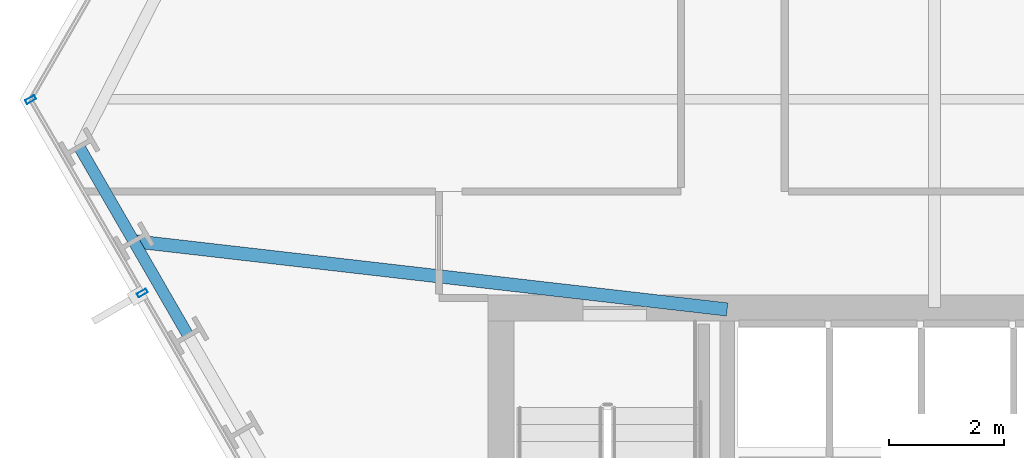
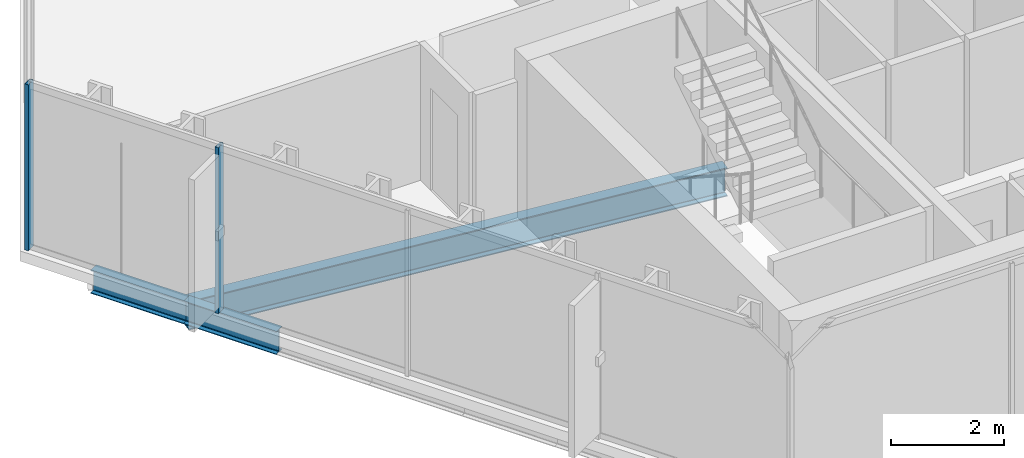
# One storey, part 5 of 32: 3 beams, 2 members, 1 element without a shape of its own.
"""IFC4 building model written with IfcOpenShell, lengths in metres."""

from ifc_helpers import new_model, si_unit, direction, frame, origin, origin_2d, place, context, subcontext, project, spatial, hollow_rectangle, i_section, extrude, material, layer, layer_set, material_profile, profile_set, type_object, element, aggregate, save


model = new_model("IFC4")

# Units and contexts
model_context = context("Model", 3, precision=1e-05, world=origin(), true_north=direction((0.0, 1.0)))
body_context = subcontext(model_context, "Body", "Model", "MODEL_VIEW")
ifc_project = project(units=[si_unit("LENGTHUNIT", "METRE"), si_unit("AREAUNIT", "SQUARE_METRE"), si_unit("VOLUMEUNIT", "CUBIC_METRE"), si_unit("PLANEANGLEUNIT", "RADIAN"), si_unit("MASSUNIT", "GRAM", prefix="KILO")], contexts=[model_context])

# Site, building, storey
site_placement = place(None, origin())
site = spatial("IfcSite", under=ifc_project, at=site_placement, CompositionType="ELEMENT")
building_placement = place(site_placement, origin())
building = spatial("IfcBuilding", under=site, at=building_placement, Name="Ndaravel Arena Tower", CompositionType="ELEMENT")
storey_placement = place(building_placement, frame((0.0, 0.0, 62.60009765625)))
storey = spatial("IfcBuildingStorey", under=building, at=storey_placement, Name="L13", CompositionType="ELEMENT", Elevation=62.60009765625)

# Beams
ifc_material_1 = material(Name="Steel S355", Category="steel")
ifc_material_profile_1 = material_profile(ifc_material_1, i_section(OverallWidth=0.230224609375, OverallDepth=0.6171875, WebThickness=0.01318359375, FlangeThickness=0.022216796875, FilletRadius=0.0126953125, at=origin_2d()), Name="UB 610x229x140")
ifc_profile_set_1 = profile_set([ifc_material_profile_1], Name="Steel S355")
beam_type_1 = type_object("IfcBeamType", Name="BM-GIRD-UB610B", PredefinedType="BEAM", material=ifc_profile_set_1)
beam_1_placement = place(storey_placement, frame((20.298095703125, 16.135009765625, -0.52880859375), z_axis=(0.993448778677, -0.114278275036, 0.0), x_axis=(0.114278275036, 0.993448778677, 0.0)))
element("IfcBeam", 1, at=beam_1_placement, inside=storey, type_object=beam_type_1, Name="L13 Radial Floor Girder FG-21", PredefinedType="BEAM", context=body_context, shape_type="SweptSolid", body=[
    extrude(i_section(OverallWidth=0.230224609375, OverallDepth=0.6171875, WebThickness=0.01318359375, FlangeThickness=0.022216796875, FilletRadius=0.0126953125, at=origin_2d()), origin(), (0.0, 0.0, 1.0), 10.369873046875),
])
ifc_material_2 = material(Name="Steel S355", Category="steel")
ifc_material_profile_2 = material_profile(ifc_material_2, i_section(OverallWidth=0.199951171875, OverallDepth=0.5, WebThickness=0.01025390625, FlangeThickness=0.01611328125, FilletRadius=0.02099609375, at=origin_2d()), Name="IPE 500")
ifc_profile_set_2 = profile_set([ifc_material_profile_2], Name="Steel S355")
beam_type_2 = type_object("IfcBeamType", Name="BM-SPAN-IPE500", PredefinedType="SPANDREL", material=ifc_profile_set_2)
beam_2_placement = place(storey_placement, frame((19.3515625, 17.7744140625, -0.47021484375), z_axis=(0.50000898992, -0.86602021339, 0.0), x_axis=(0.86602021339, 0.50000898992, 0.0)))
element("IfcBeam", 2, at=beam_2_placement, inside=storey, type_object=beam_type_2, Name="L13 Perimeter Spandrel Beam SP-20", PredefinedType="SPANDREL", context=body_context, shape_type="SweptSolid", body=[
    extrude(i_section(OverallWidth=0.199951171875, OverallDepth=0.5, WebThickness=0.01025390625, FlangeThickness=0.01611328125, FilletRadius=0.02099609375, at=origin_2d()), origin(), (0.0, 0.0, 1.0), 1.89306640625),
])
beam_3_placement = place(storey_placement, frame((20.298095703125, 16.135009765625, -0.47021484375), z_axis=(0.499968102766, -0.866043818878, 0.0), x_axis=(0.866043818878, 0.499968102766, 0.0)))
element("IfcBeam", 3, at=beam_3_placement, inside=storey, type_object=beam_type_2, Name="L13 Perimeter Spandrel Beam SP-21", PredefinedType="SPANDREL", context=body_context, shape_type="SweptSolid", body=[
    extrude(i_section(OverallWidth=0.199951171875, OverallDepth=0.5, WebThickness=0.01025390625, FlangeThickness=0.01611328125, FilletRadius=0.02099609375, at=origin_2d()), origin(), (0.0, 0.0, 1.0), 1.892578125),
])

# Curtain wall, members
ifc_material_3 = material(Name="Aluminium", Category="aluminium")
ifc_layer = layer(ifc_material_3, 0.179931640625)
ifc_layer_set = layer_set([ifc_layer], Name="Aluminium")
curtain_wall_type = type_object("IfcCurtainWallType", Name="CW-SYS-02", PredefinedType="NOTDEFINED", material=ifc_layer_set)
curtain_wall_placement = place(storey_placement, origin())
curtain_wall = element("IfcCurtainWall", 4, at=curtain_wall_placement, inside=storey, type_object=curtain_wall_type, Name="L13 Faceted Crystal Curtain Wall CW-L13-E06", PredefinedType="NOTDEFINED")
ifc_material_4 = material(Name="Aluminium", Category="aluminium")
ifc_material_profile_3 = material_profile(ifc_material_4, hollow_rectangle(XDim=0.074951171875, YDim=0.179931640625, WallThickness=0.00390625, at=origin_2d()), Name="CW MULLION 75x180x4")
ifc_profile_set_3 = profile_set([ifc_material_profile_3], Name="Aluminium")
member_type = type_object("IfcMemberType", Name="MEM-CW-MUL180", PredefinedType="MULLION", material=ifc_profile_set_3)
member_1_placement = place(storey_placement, frame((18.5087890625, 18.593994140625, 0.0), z_axis=(0.0, 0.0, 1.0), x_axis=(0.5, -0.866025403784, 0.0)))
member_1 = element("IfcMember", 5, at=member_1_placement, type_object=member_type, Name="CW-L13-E06 Mullion 00", PredefinedType="MULLION", context=body_context, shape_type="SweptSolid", body=[
    extrude(hollow_rectangle(XDim=0.074951171875, YDim=0.179931640625, WallThickness=0.00390625, at=origin_2d()), origin(), (0.0, 0.0, 1.0), 3.579833984375),
])
member_2_placement = place(storey_placement, frame((20.447998046875, 15.2353515625, 0.0), z_axis=(0.0, 0.0, 1.0), x_axis=(0.5, -0.866025403784, 0.0)))
member_2 = element("IfcMember", 6, at=member_2_placement, type_object=member_type, Name="CW-L13-E06 Mullion 01", PredefinedType="MULLION", context=body_context, shape_type="SweptSolid", body=[
    extrude(hollow_rectangle(XDim=0.074951171875, YDim=0.179931640625, WallThickness=0.00390625, at=origin_2d()), origin(), (0.0, 0.0, 1.0), 3.579833984375),
])
aggregate(curtain_wall, [member_1, member_2])

save(model, "model.ifc")
